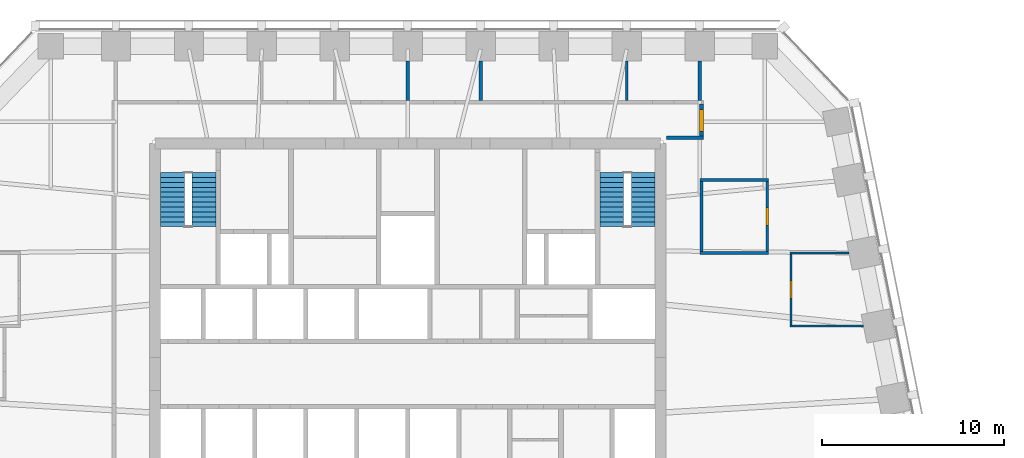
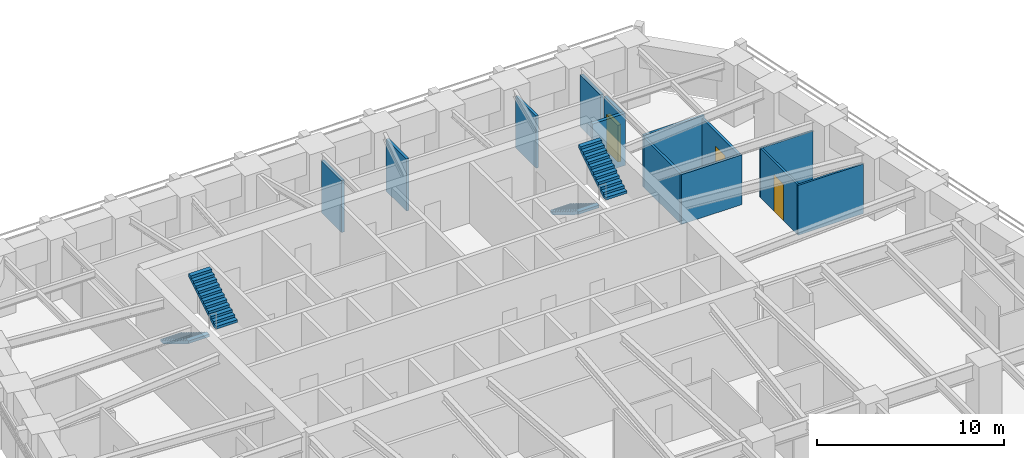
# One storey, part 8 of 10: 13 walls, 4 stair flights, 3 doors, 3 openings, 2 elements without a shape of their own.
"""IFC4 building model written with IfcOpenShell, lengths in metres."""

from ifc_helpers import new_model, si_unit, direction, frame, frame_2d, origin, place, context, subcontext, project, spatial, polyline, rectangle, outline, extrude, material, layer, layer_set, type_object, element, fill, aggregate, save


model = new_model("IFC4")

# Units and contexts
model_context = context("Model", 3, precision=1e-05, world=origin(), true_north=direction((0.0, 1.0)))
body_context = subcontext(model_context, "Body", "Model", "MODEL_VIEW")
ifc_project = project(units=[si_unit("LENGTHUNIT", "METRE"), si_unit("AREAUNIT", "SQUARE_METRE"), si_unit("VOLUMEUNIT", "CUBIC_METRE"), si_unit("PLANEANGLEUNIT", "RADIAN"), si_unit("MASSUNIT", "GRAM", prefix="KILO")], contexts=[model_context])

# Site, building, storey
site_placement = place(None, origin())
site = spatial("IfcSite", under=ifc_project, at=site_placement, CompositionType="ELEMENT")
building_placement = place(site_placement, origin())
building = spatial("IfcBuilding", under=site, at=building_placement, Name="Isbrekke Arena Tower", CompositionType="ELEMENT")
storey_placement = place(building_placement, frame((0.0, 0.0, 230.0)))
storey = spatial("IfcBuildingStorey", under=building, at=storey_placement, Name="L53", CompositionType="ELEMENT", Elevation=230.0)

# Walls
ifc_material_1 = material(Name="Gypsum board partition on steel studs", Category="steel")
ifc_layer_1 = layer(ifc_material_1, 0.14990234375)
ifc_layer_set_1 = layer_set([ifc_layer_1], Name="IW1 PARTITION 150")
wall_type_1 = type_object("IfcWallType", Name="IW1 PARTITION 150", PredefinedType="PARTITIONING", material=ifc_layer_set_1)
wall_1_placement = place(storey_placement, frame((16.02490234375, 17.840087890625, 0.0), z_axis=(0.0, 0.0, 1.0), x_axis=(1.0, 0.0, 0.0)))
element("IfcWall", 1, at=wall_1_placement, inside=storey, type_object=wall_type_1, Name="IW1 partition 150 L53", PredefinedType="PARTITIONING", context=body_context, shape_type="SweptSolid", body=[
    extrude(rectangle(XDim=3.75, YDim=0.14990234375, at=frame_2d((1.875, 0.0))), origin(), (0.0, 0.0, 1.0), 3.25),
])
wall_2_placement = place(storey_placement, frame((16.02490234375, 21.840087890625, 0.0), z_axis=(0.0, 0.0, 1.0), x_axis=(1.0, 0.0, 0.0)))
element("IfcWall", 2, at=wall_2_placement, inside=storey, type_object=wall_type_1, Name="IW1 partition 150 L53", PredefinedType="PARTITIONING", context=body_context, shape_type="SweptSolid", body=[
    extrude(rectangle(XDim=3.75, YDim=0.14990234375, at=frame_2d((1.875, 0.0))), origin(), (0.0, 0.0, 1.0), 3.39990234375),
])
wall_3_placement = place(storey_placement, frame((12.0, 26.199951171875, 0.0), z_axis=(0.0, 0.0, 1.0), x_axis=(0.0, 1.0, 0.0)))
element("IfcWall", 3, at=wall_3_placement, inside=storey, type_object=wall_type_1, Name="IW1 partition 150 L53", PredefinedType="PARTITIONING", context=body_context, shape_type="SweptSolid", body=[
    extrude(rectangle(XDim=2.175048828125, YDim=0.14990234375, at=frame_2d((1.08740234375, 0.0))), origin(), (0.0, 0.0, 1.0), 3.39990234375),
])
wall_4_placement = place(storey_placement, frame((16.10009765625, 17.9150390625, 0.0), z_axis=(0.0, 0.0, 1.0), x_axis=(0.0, 1.0, 0.0)))
element("IfcWall", 4, at=wall_4_placement, inside=storey, type_object=wall_type_1, Name="IW1 partition 150 L53", PredefinedType="PARTITIONING", context=body_context, shape_type="SweptSolid", body=[
    extrude(rectangle(XDim=3.849853515625, YDim=0.14990234375, at=frame_2d((1.9248046875, 0.0))), origin(), (0.0, 0.0, 1.0), 3.25),
])

# Wall, opening, door
wall_5_placement = place(storey_placement, frame((19.699951171875, 17.9150390625, 0.0), z_axis=(0.0, 0.0, 1.0), x_axis=(0.0, 1.0, 0.0)))
wall_5 = element("IfcWall", 5, at=wall_5_placement, inside=storey, type_object=wall_type_1, Name="IW1 partition 150 L53", PredefinedType="PARTITIONING", context=body_context, shape_type="SweptSolid", body=[
    extrude(rectangle(XDim=3.849853515625, YDim=0.14990234375, at=frame_2d((1.9248046875, 0.0))), origin(), (0.0, 0.0, 1.0), 3.25),
])
opening_1_placement = place(wall_5_placement, frame((1.425048828125, 0.0, 0.0)))
opening_1 = element("IfcOpeningElement", 6, at=opening_1_placement, cuts=wall_5, Name="Opening D10", PredefinedType="OPENING", context=body_context, shape_type="SweptSolid", body=[
    extrude(rectangle(XDim=1.0, YDim=2.300048828125, at=frame_2d((0.5, 1.14990234375))), frame((0.0, 0.08984375, 0.0), z_axis=(0.0, -1.0, 0.0), x_axis=(1.0, 0.0, 0.0)), (0.0, 0.0, 1.0), 0.1796875),
])
ifc_material_2 = material(Name="Timber door", Category="wood")
door_type_1 = type_object("IfcDoorType", Name="D10 OFFICE DOOR 1000 x 2300", OperationType="SINGLE_SWING_LEFT", PredefinedType="DOOR", material=ifc_material_2)
door_1_placement = place(opening_1_placement, origin())
door_1 = element("IfcDoor", 7, at=door_1_placement, inside=storey, type_object=door_type_1, Name="D10 pantry door L53", OperationType="SINGLE_SWING_LEFT", OverallHeight=2.300048828125, OverallWidth=1.0, PredefinedType="DOOR", context=body_context, shape_type="SweptSolid", body=[
    extrude(rectangle(XDim=1.0, YDim=2.300048828125, at=frame_2d((0.5, 1.14990234375))), frame((0.0, 0.07470703125, 0.0), z_axis=(0.0, -1.0, 0.0), x_axis=(1.0, 0.0, 0.0)), (0.0, 0.0, 1.0), 0.1494140625),
])
fill(opening_1, door_1)

# Walls
ifc_material_3 = material(Name="Frameless glazed partition, laminated acoustic glass", Category="glass")
ifc_layer_2 = layer(ifc_material_3, 0.1201171875)
ifc_layer_set_2 = layer_set([ifc_layer_2], Name="IW2 GLAZED PARTITION 120")
wall_type_2 = type_object("IfcWallType", Name="IW2 GLAZED PARTITION 120", PredefinedType="PARTITIONING", material=ifc_layer_set_2)
wall_6_placement = place(storey_placement, frame((20.93994140625, 13.840087890625, 0.0), z_axis=(0.0, 0.0, 1.0), x_axis=(1.0, 0.0, 0.0)))
element("IfcWall", 8, at=wall_6_placement, inside=storey, type_object=wall_type_2, Name="IW2 glazed partition 120 L53", PredefinedType="PARTITIONING", context=body_context, shape_type="SweptSolid", body=[
    extrude(rectangle(XDim=4.034912109375, YDim=0.1201171875, at=frame_2d((2.017578125, 0.0))), origin(), (0.0, 0.0, 1.0), 3.25),
])
wall_7_placement = place(storey_placement, frame((20.93994140625, 17.840087890625, 0.0), z_axis=(0.0, 0.0, 1.0), x_axis=(1.0, 0.0, 0.0)))
element("IfcWall", 9, at=wall_7_placement, inside=storey, type_object=wall_type_2, Name="IW2 glazed partition 120 L53", PredefinedType="PARTITIONING", context=body_context, shape_type="SweptSolid", body=[
    extrude(rectangle(XDim=3.23486328125, YDim=0.1201171875, at=frame_2d((1.617431640625, 0.0))), origin(), (0.0, 0.0, 1.0), 3.25),
])

# Wall, opening, door
wall_8_placement = place(storey_placement, frame((21.0, 13.89990234375, 0.0), z_axis=(0.0, 0.0, 1.0), x_axis=(0.0, 1.0, 0.0)))
wall_8 = element("IfcWall", 10, at=wall_8_placement, inside=storey, type_object=wall_type_2, Name="IW2 glazed partition 120 L53", PredefinedType="PARTITIONING", context=body_context, shape_type="SweptSolid", body=[
    extrude(rectangle(XDim=3.880126953125, YDim=0.1201171875, at=frame_2d((1.93994140625, 0.0))), origin(), (0.0, 0.0, 1.0), 3.25),
])
opening_2_placement = place(wall_8_placement, frame((1.43994140625, 0.0, 0.0)))
opening_2 = element("IfcOpeningElement", 11, at=opening_2_placement, cuts=wall_8, Name="Opening D11", PredefinedType="OPENING", context=body_context, shape_type="SweptSolid", body=[
    extrude(rectangle(XDim=1.0, YDim=2.39990234375, at=frame_2d((0.5, 1.199951171875))), frame((0.0, 0.074951171875, 0.0), z_axis=(0.0, -1.0, 0.0), x_axis=(1.0, 0.0, 0.0)), (0.0, 0.0, 1.0), 0.14990234375),
])
ifc_material_4 = material(Name="Frameless glazed door", Category="glass")
door_type_2 = type_object("IfcDoorType", Name="D11 GLAZED MEETING ROOM DOOR 1000 x 2400", OperationType="SINGLE_SWING_RIGHT", PredefinedType="DOOR", material=ifc_material_4)
door_2_placement = place(opening_2_placement, origin())
door_2 = element("IfcDoor", 12, at=door_2_placement, inside=storey, type_object=door_type_2, Name="D11 meeting room door L53", OperationType="SINGLE_SWING_RIGHT", OverallHeight=2.39990234375, OverallWidth=1.0, PredefinedType="DOOR", context=body_context, shape_type="SweptSolid", body=[
    extrude(rectangle(XDim=1.0, YDim=2.39990234375, at=frame_2d((0.5, 1.199951171875))), frame((0.0, 0.059814453125, 0.0), z_axis=(0.0, -1.0, 0.0), x_axis=(1.0, 0.0, 0.0)), (0.0, 0.0, 1.0), 0.11962890625),
])
fill(opening_2, door_2)

# Walls
ifc_material_5 = material(Name="Gypsum board fire-cell wall on steel studs, two layers each side", Category="steel")
ifc_layer_3 = layer(ifc_material_5, 0.199951171875)
ifc_layer_set_3 = layer_set([ifc_layer_3], Name="IW3 FIRE-CELL WALL 200")
wall_type_3 = type_object("IfcWallType", Name="IW3 FIRE-CELL WALL 200", PredefinedType="PARTITIONING", material=ifc_layer_set_3)
wall_9_placement = place(storey_placement, frame((14.179931640625, 24.14990234375, 0.0), z_axis=(0.0, 0.0, 1.0), x_axis=(1.0, 0.0, 0.0)))
element("IfcWall", 13, at=wall_9_placement, inside=storey, type_object=wall_type_3, Name="IW3 fire-cell wall 200 L53", PredefinedType="PARTITIONING", context=body_context, shape_type="SweptSolid", body=[
    extrude(rectangle(XDim=2.02001953125, YDim=0.199951171875, at=frame_2d((1.010009765625, 0.0))), origin(), (0.0, 0.0, 1.0), 3.39990234375),
])
wall_10_placement = place(storey_placement, frame((16.0, 26.199951171875, 0.0), z_axis=(0.0, 0.0, 1.0), x_axis=(0.0, 1.0, 0.0)))
element("IfcWall", 14, at=wall_10_placement, inside=storey, type_object=wall_type_3, Name="IW3 fire-cell wall 200 L53", PredefinedType="PARTITIONING", context=body_context, shape_type="SweptSolid", body=[
    extrude(rectangle(XDim=2.175048828125, YDim=0.199951171875, at=frame_2d((1.08740234375, 0.0))), origin(), (0.0, 0.0, 1.0), 3.39990234375),
])

# Wall, opening, door
wall_11_placement = place(storey_placement, frame((16.10009765625, 24.25, 0.0), z_axis=(0.0, 0.0, 1.0), x_axis=(0.0, 1.0, 0.0)))
wall_11 = element("IfcWall", 15, at=wall_11_placement, inside=storey, type_object=wall_type_3, Name="IW3 fire-cell wall 200 L53", PredefinedType="PARTITIONING", context=body_context, shape_type="SweptSolid", body=[
    extrude(rectangle(XDim=1.75, YDim=0.199951171875, at=frame_2d((0.875, 0.0))), origin(), (0.0, 0.0, 1.0), 3.39990234375),
])
opening_3_placement = place(wall_11_placement, frame((0.25, 0.0, 0.0)))
opening_3 = element("IfcOpeningElement", 16, at=opening_3_placement, cuts=wall_11, Name="Opening D12", PredefinedType="OPENING", context=body_context, shape_type="SweptSolid", body=[
    extrude(rectangle(XDim=1.199951171875, YDim=2.39990234375, at=frame_2d((0.60009765625, 1.199951171875))), frame((0.0, 0.11474609375, 0.0), z_axis=(0.0, -1.0, 0.0), x_axis=(1.0, 0.0, 0.0)), (0.0, 0.0, 1.0), 0.229736328125),
])
ifc_material_6 = material(Name="Timber fire door with vision panel", Category="wood")
door_type_3 = type_object("IfcDoorType", Name="D12 SUITE ENTRANCE DOOR 1200 x 2400", OperationType="SINGLE_SWING_LEFT", PredefinedType="DOOR", material=ifc_material_6)
door_3_placement = place(opening_3_placement, origin())
door_3 = element("IfcDoor", 17, at=door_3_placement, inside=storey, type_object=door_type_3, Name="D12 suite entrance N door L53", OperationType="SINGLE_SWING_LEFT", OverallHeight=2.39990234375, OverallWidth=1.199951171875, PredefinedType="DOOR", context=body_context, shape_type="SweptSolid", body=[
    extrude(rectangle(XDim=1.199951171875, YDim=2.39990234375, at=frame_2d((0.60009765625, 1.199951171875))), frame((0.0, 0.099609375, 0.0), z_axis=(0.0, -1.0, 0.0), x_axis=(1.0, 0.0, 0.0)), (0.0, 0.0, 1.0), 0.199462890625),
])
fill(opening_3, door_3)

# Walls
ifc_material_7 = material(Name="Gypsum board acoustic partition on twin steel studs", Category="steel")
ifc_layer_4 = layer(ifc_material_7, 0.175048828125)
ifc_layer_set_4 = layer_set([ifc_layer_4], Name="IW4 ACOUSTIC PARTITION 175")
wall_type_4 = type_object("IfcWallType", Name="IW4 ACOUSTIC PARTITION 175", PredefinedType="PARTITIONING", material=ifc_layer_set_4)
for number, where, z_axis, x_axis, name in (
    (18, (0.0, 26.199951171875, 0.0), (0.0, 0.0, 1.0), (0.0, 1.0, 0.0), "IW4 acoustic partition 175 L53"),
    (19, (4.0, 26.199951171875, 0.0), (0.0, 0.0, 1.0), (0.0, 1.0, 0.0), "IW4 acoustic partition 175 L53"),
):
    element("IfcWall", number, at=place(storey_placement, frame(where, z_axis=z_axis, x_axis=x_axis)), inside=storey, type_object=wall_type_4, Name=name, PredefinedType="PARTITIONING", context=body_context, shape_type="SweptSolid", body=[
        extrude(rectangle(XDim=2.175048828125, YDim=0.175048828125, at=frame_2d((1.08740234375, 0.0))), origin(), (0.0, 0.0, 1.0), 3.39990234375),
    ])

# Stair, stair flights
ifc_material_8 = material(Name="Concrete B45 (C45/55) precast", Category="concrete")
stair_type = type_object("IfcStairType", Name="ST40 STAIR 1300 WIDE, 24 RISERS 167", PredefinedType="HALF_TURN_STAIR", material=ifc_material_8)
stair_1_placement = place(storey_placement, origin())
stair_1 = element("IfcStair", 20, at=stair_1_placement, inside=storey, type_object=stair_type, Name="ST1 stair L53", PredefinedType="HALF_TURN_STAIR")
ifc_material_9 = material(Name="Concrete B45 (C45/55) precast", Category="concrete")
stair_flight_type = type_object("IfcStairFlightType", Name="SF 1300 FLIGHT", PredefinedType="STRAIGHT", material=ifc_material_9)
stair_flight_1_placement = place(storey_placement, frame((-12.89990234375, 22.25, 0.0), z_axis=(0.0, 0.0, 1.0), x_axis=(0.0, -1.0, 0.0)))
stair_flight_1 = element("IfcStairFlight", 21, at=stair_flight_1_placement, type_object=stair_flight_type, Name="ST1 flight 1", NumberOfRisers=12, NumberOfTreads=11, PredefinedType="STRAIGHT", RiserHeight=0.166666667, TreadLength=0.27, context=body_context, shape_type="SweptSolid", body=[
    extrude(outline(polyline([(0.0, 0.0), (0.0, 0.166748046875), (0.27001953125, 0.166748046875), (0.27001953125, 0.333251953125), (0.5400390625, 0.333251953125), (0.5400390625, 0.5), (0.81005859375, 0.5), (0.81005859375, 0.666748046875), (1.080078125, 0.666748046875), (1.080078125, 0.833251953125), (1.35009765625, 0.833251953125), (1.35009765625, 1.0), (1.6201171875, 1.0), (1.6201171875, 1.166748046875), (1.889892578125, 1.166748046875), (1.889892578125, 1.333251953125), (2.159912109375, 1.333251953125), (2.159912109375, 1.5), (2.429931640625, 1.5), (2.429931640625, 1.666748046875), (2.699951171875, 1.666748046875), (2.699951171875, 1.833251953125), (2.969970703125, 1.833251953125), (2.969970703125, 2.0), (2.969970703125, 1.6572265625), (0.285400390625, 0.0), (0.0, 0.0)])), frame((0.0, 0.64990234375, 0.0), z_axis=(0.0, -1.0, 0.0), x_axis=(1.0, 0.0, 0.0)), (0.0, 0.0, 1.0), 1.300048828125),
])
stair_flight_2_placement = place(storey_placement, frame((-11.175048828125, 19.280029296875, 2.0), z_axis=(0.0, 0.0, 1.0), x_axis=(0.0, 1.0, 0.0)))
stair_flight_2 = element("IfcStairFlight", 22, at=stair_flight_2_placement, type_object=stair_flight_type, Name="ST1 flight 2", NumberOfRisers=12, NumberOfTreads=11, PredefinedType="STRAIGHT", RiserHeight=0.166666667, TreadLength=0.27, context=body_context, shape_type="SweptSolid", body=[
    extrude(outline(polyline([(0.0, 0.0), (0.0, 0.166748046875), (0.27001953125, 0.166748046875), (0.27001953125, 0.333251953125), (0.5400390625, 0.333251953125), (0.5400390625, 0.5), (0.81005859375, 0.5), (0.81005859375, 0.666748046875), (1.080078125, 0.666748046875), (1.080078125, 0.833251953125), (1.35009765625, 0.833251953125), (1.35009765625, 1.0), (1.6201171875, 1.0), (1.6201171875, 1.166748046875), (1.889892578125, 1.166748046875), (1.889892578125, 1.333251953125), (2.159912109375, 1.333251953125), (2.159912109375, 1.5), (2.429931640625, 1.5), (2.429931640625, 1.666748046875), (2.699951171875, 1.666748046875), (2.699951171875, 1.833251953125), (2.969970703125, 1.833251953125), (2.969970703125, 2.0), (2.969970703125, 1.6572265625), (0.285400390625, 0.0), (0.0, 0.0)])), frame((0.0, 0.64990234375, 0.0), z_axis=(0.0, -1.0, 0.0), x_axis=(1.0, 0.0, 0.0)), (0.0, 0.0, 1.0), 1.300048828125),
])
aggregate(stair_1, [stair_flight_1, stair_flight_2])

stair_2_placement = place(storey_placement, origin())
stair_2 = element("IfcStair", 23, at=stair_2_placement, inside=storey, type_object=stair_type, Name="ST2 stair L53", PredefinedType="HALF_TURN_STAIR")
stair_flight_3_placement = place(storey_placement, frame((11.175048828125, 22.25, 0.0), z_axis=(0.0, 0.0, 1.0), x_axis=(0.0, -1.0, 0.0)))
stair_flight_3 = element("IfcStairFlight", 24, at=stair_flight_3_placement, type_object=stair_flight_type, Name="ST2 flight 1", NumberOfRisers=12, NumberOfTreads=11, PredefinedType="STRAIGHT", RiserHeight=0.166666667, TreadLength=0.27, context=body_context, shape_type="SweptSolid", body=[
    extrude(outline(polyline([(0.0, 0.0), (0.0, 0.166748046875), (0.27001953125, 0.166748046875), (0.27001953125, 0.333251953125), (0.5400390625, 0.333251953125), (0.5400390625, 0.5), (0.81005859375, 0.5), (0.81005859375, 0.666748046875), (1.080078125, 0.666748046875), (1.080078125, 0.833251953125), (1.35009765625, 0.833251953125), (1.35009765625, 1.0), (1.6201171875, 1.0), (1.6201171875, 1.166748046875), (1.889892578125, 1.166748046875), (1.889892578125, 1.333251953125), (2.159912109375, 1.333251953125), (2.159912109375, 1.5), (2.429931640625, 1.5), (2.429931640625, 1.666748046875), (2.699951171875, 1.666748046875), (2.699951171875, 1.833251953125), (2.969970703125, 1.833251953125), (2.969970703125, 2.0), (2.969970703125, 1.6572265625), (0.285400390625, 0.0), (0.0, 0.0)])), frame((0.0, 0.64990234375, 0.0), z_axis=(0.0, -1.0, 0.0), x_axis=(1.0, 0.0, 0.0)), (0.0, 0.0, 1.0), 1.300048828125),
])
stair_flight_4_placement = place(storey_placement, frame((12.89990234375, 19.280029296875, 2.0), z_axis=(0.0, 0.0, 1.0), x_axis=(0.0, 1.0, 0.0)))
stair_flight_4 = element("IfcStairFlight", 25, at=stair_flight_4_placement, type_object=stair_flight_type, Name="ST2 flight 2", NumberOfRisers=12, NumberOfTreads=11, PredefinedType="STRAIGHT", RiserHeight=0.166666667, TreadLength=0.27, context=body_context, shape_type="SweptSolid", body=[
    extrude(outline(polyline([(0.0, 0.0), (0.0, 0.166748046875), (0.27001953125, 0.166748046875), (0.27001953125, 0.333251953125), (0.5400390625, 0.333251953125), (0.5400390625, 0.5), (0.81005859375, 0.5), (0.81005859375, 0.666748046875), (1.080078125, 0.666748046875), (1.080078125, 0.833251953125), (1.35009765625, 0.833251953125), (1.35009765625, 1.0), (1.6201171875, 1.0), (1.6201171875, 1.166748046875), (1.889892578125, 1.166748046875), (1.889892578125, 1.333251953125), (2.159912109375, 1.333251953125), (2.159912109375, 1.5), (2.429931640625, 1.5), (2.429931640625, 1.666748046875), (2.699951171875, 1.666748046875), (2.699951171875, 1.833251953125), (2.969970703125, 1.833251953125), (2.969970703125, 2.0), (2.969970703125, 1.6572265625), (0.285400390625, 0.0), (0.0, 0.0)])), frame((0.0, 0.64990234375, 0.0), z_axis=(0.0, -1.0, 0.0), x_axis=(1.0, 0.0, 0.0)), (0.0, 0.0, 1.0), 1.300048828125),
])
aggregate(stair_2, [stair_flight_3, stair_flight_4])

save(model, "model.ifc")
